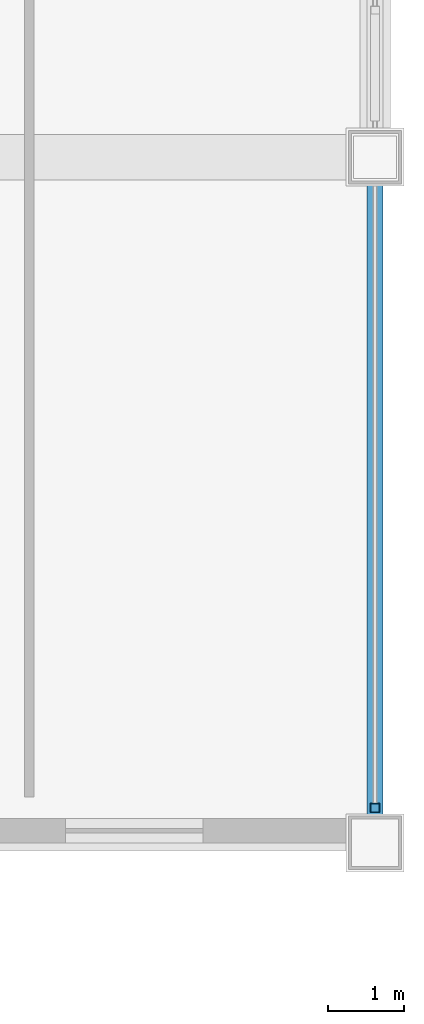
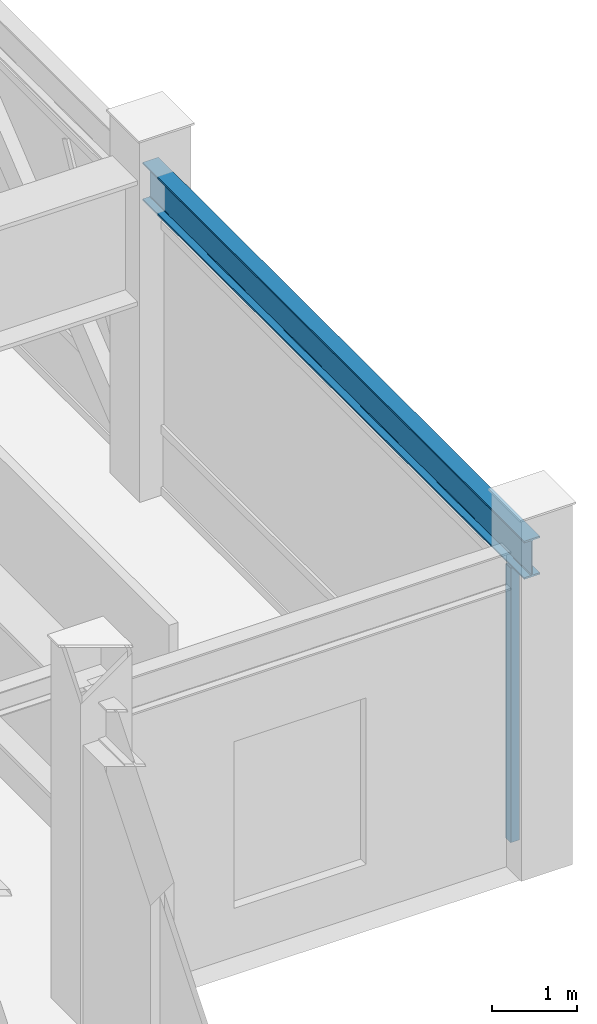
# One storey, part 10 of 29: 1 beam, 1 member, 1 element without a shape of its own.
"""IFC4 building model written with IfcOpenShell, lengths in metres."""

from ifc_helpers import new_model, si_unit, direction, frame, origin, origin_2d, place, context, subcontext, project, spatial, hollow_rectangle, i_section, extrude, source, transform, mapped, material, material_profile, profile_set, type_object, element, aggregate, save


model = new_model("IFC4")

# Units and contexts
model_context = context("Model", 3, precision=1e-05, world=origin(), true_north=direction((0.0, 1.0)))
body_context = subcontext(model_context, "Body", "Model", "MODEL_VIEW")
ifc_project = project(units=[si_unit("LENGTHUNIT", "METRE"), si_unit("AREAUNIT", "SQUARE_METRE"), si_unit("VOLUMEUNIT", "CUBIC_METRE"), si_unit("PLANEANGLEUNIT", "RADIAN"), si_unit("MASSUNIT", "GRAM", prefix="KILO")], contexts=[model_context])

# Site, building, storey
site_placement = place(None, origin())
site = spatial("IfcSite", under=ifc_project, at=site_placement, CompositionType="ELEMENT")
building_placement = place(site_placement, origin())
building = spatial("IfcBuilding", under=site, at=building_placement, Name="Khorayat Bourse Tower", CompositionType="ELEMENT")
storey_placement = place(building_placement, frame((0.0, 0.0, 370.300048828125)))
storey = spatial("IfcBuildingStorey", under=building, at=storey_placement, Name="L88", CompositionType="ELEMENT", Elevation=370.300048828125)

# Beam
ifc_material_1 = material(Name="Steel ASTM A992 Grade 50", Category="steel")
ifc_material_profile_1 = material_profile(ifc_material_1, i_section(OverallWidth=0.214111328125, OverallDepth=0.549072265625, WebThickness=0.0146484375, FlangeThickness=0.023681640625, FilletRadius=0.013916015625, at=origin_2d()), Name="W530X138")
ifc_profile_set_1 = profile_set([ifc_material_profile_1], Name="Steel ASTM A992 Grade 50")
beam_type = type_object("IfcBeamType", Name="BM-SPAN-530", PredefinedType="SPANDREL", material=ifc_profile_set_1)
shared_shape_1 = source(origin(), body_context, "Body", "SweptSolid", [
    extrude(i_section(OverallWidth=0.214111328125, OverallDepth=0.549072265625, WebThickness=0.0146484375, FlangeThickness=0.023681640625, FilletRadius=0.013916015625, at=origin_2d()), origin(), (0.0, 0.0, 1.0), 9.0),
])
beam_placement = place(storey_placement, frame((26.0, -20.0, 4.325439453125), z_axis=(0.0, 1.0, 0.0), x_axis=(-1.0, 0.0, 0.0)))
element("IfcBeam", 1, at=beam_placement, inside=storey, type_object=beam_type, Name="L88 BM-SPAN-530 BM-L88-SPN-032", PredefinedType="SPANDREL", context=body_context, shape_type="MappedRepresentation", body=[
    mapped(shared_shape_1, transform((0.0, 0.0, 0.0), scale=1.0)),
])

# Curtain wall, member
ifc_material_2 = material(Name="Aluminium EN AW-6063 T6", Category="aluminium")
curtain_wall_type = type_object("IfcCurtainWallType", Name="CW-SYS-04", PredefinedType="NOTDEFINED", material=ifc_material_2)
curtain_wall_placement = place(storey_placement, origin())
curtain_wall = element("IfcCurtainWall", 2, at=curtain_wall_placement, inside=storey, type_object=curtain_wall_type, Name="L88 Curtain Wall CW-L88-E1", PredefinedType="NOTDEFINED")
ifc_material_profile_2 = material_profile(ifc_material_2, hollow_rectangle(XDim=0.1201171875, YDim=0.1201171875, WallThickness=0.0048828125, at=origin_2d()), Name="ALU 120x120x5")
ifc_profile_set_2 = profile_set([ifc_material_profile_2], Name="Aluminium EN AW-6063 T6")
member_type = type_object("IfcMemberType", Name="CWM-VERT-120", PredefinedType="MULLION", material=ifc_profile_set_2)
shared_shape_2 = source(origin(), body_context, "Body", "SweptSolid", [
    extrude(hollow_rectangle(XDim=0.1201171875, YDim=0.1201171875, WallThickness=0.0048828125, at=origin_2d()), origin(), (0.0, 0.0, 1.0), 3.949951171875),
])
member_placement = place(storey_placement, frame((26.0, -19.5400390625, 0.0), z_axis=(0.0, 0.0, 1.0), x_axis=(-1.0, 0.0, 0.0)))
member = element("IfcMember", 3, at=member_placement, type_object=member_type, Name="CW-L88-E1 Vertical Mullion 1", PredefinedType="MULLION", context=body_context, shape_type="MappedRepresentation", body=[
    mapped(shared_shape_2, transform((0.0, 0.0, 0.0), scale=1.0)),
])
aggregate(curtain_wall, [member])

save(model, "model.ifc")
